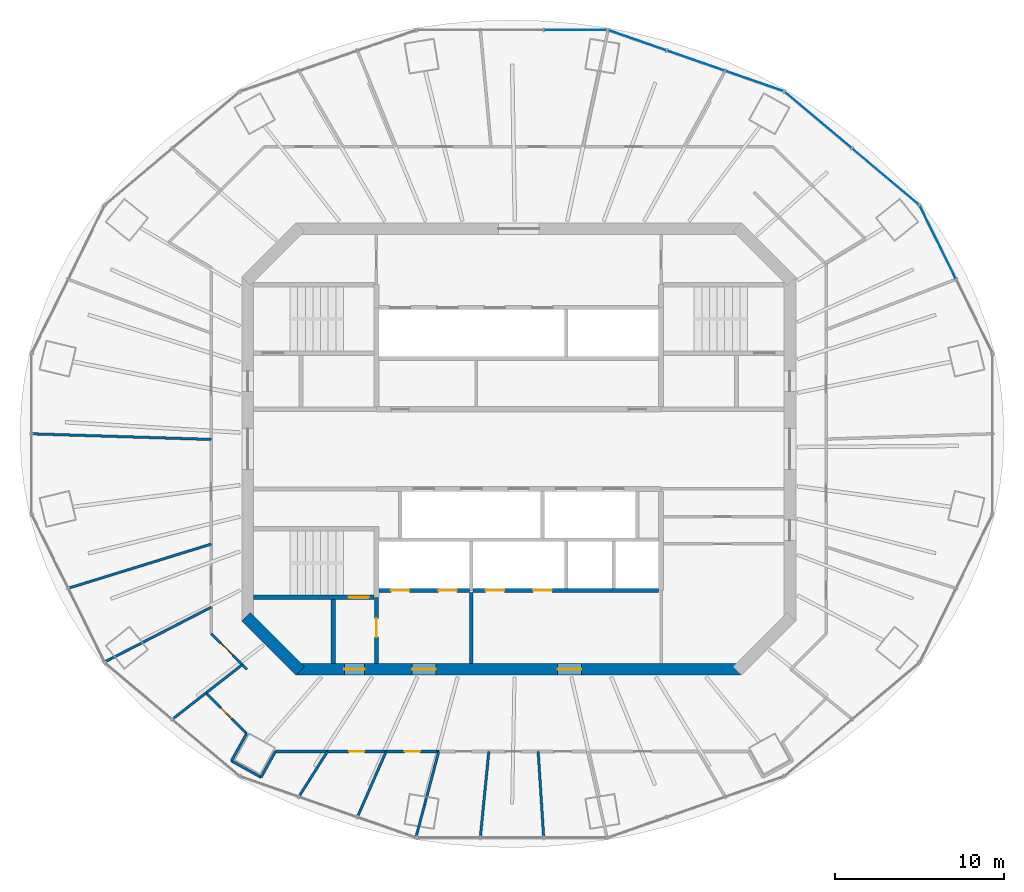
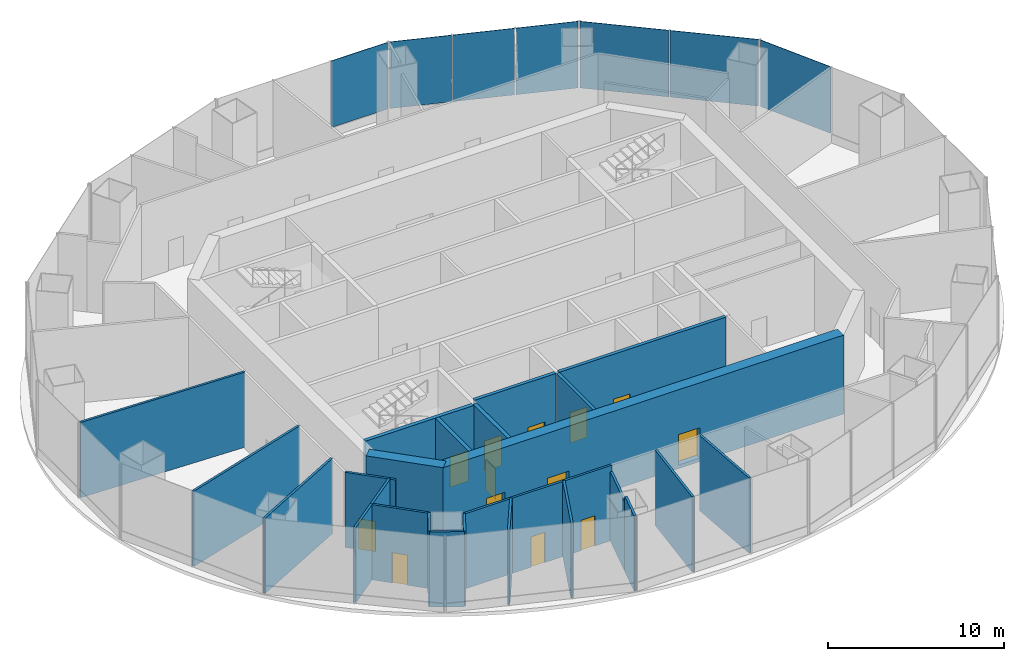
# One storey, part 8 of 12: 25 walls, 13 doors, 7 plates, 13 openings, 4 elements without a shape of their own.
"""IFC4 building model written with IfcOpenShell, lengths in metres."""

from ifc_helpers import new_model, si_unit, direction, frame, frame_2d, origin, origin_2d, place, context, subcontext, project, spatial, rectangle, extrude, material, layer, layer_set, type_object, element, fill, aggregate, save


model = new_model("IFC4")

# Units and contexts
model_context = context("Model", 3, precision=1e-05, world=origin(), true_north=direction((0.0, 1.0)))
body_context = subcontext(model_context, "Body", "Model", "MODEL_VIEW")
ifc_project = project(units=[si_unit("LENGTHUNIT", "METRE"), si_unit("AREAUNIT", "SQUARE_METRE"), si_unit("VOLUMEUNIT", "CUBIC_METRE"), si_unit("PLANEANGLEUNIT", "RADIAN"), si_unit("MASSUNIT", "GRAM", prefix="KILO")], contexts=[model_context])

# Site, building, storey
site_placement = place(None, origin())
site = spatial("IfcSite", under=ifc_project, at=site_placement, CompositionType="ELEMENT")
building_placement = place(site_placement, origin())
building = spatial("IfcBuilding", under=site, at=building_placement, Name="Marenthal Gate Tower", CompositionType="ELEMENT")
storey_placement = place(building_placement, frame((0.0, 0.0, 279.10009765625)))
storey = spatial("IfcBuildingStorey", under=building, at=storey_placement, Name="L62", CompositionType="ELEMENT", Elevation=279.10009765625)

# Curtain wall, plate
ifc_material_1 = material(Name="Aluminium and glass", Category="aluminium")
curtain_wall_type = type_object("IfcCurtainWallType", Name="Curtain wall sky lobby", PredefinedType="NOTDEFINED", material=ifc_material_1)
curtain_wall_1_placement = place(storey_placement, origin())
curtain_wall_1 = element("IfcCurtainWall", 1, at=curtain_wall_1_placement, inside=storey, type_object=curtain_wall_type, Name="Curtain wall L62 bay 1", PredefinedType="NOTDEFINED")
ifc_material_2 = material(Name="Glass, laminated insulating unit", Category="glass")
ifc_layer_1 = layer(ifc_material_2, 0.033935546875)
ifc_layer_set_1 = layer_set([ifc_layer_1], Name="Glass panel 34 sky lobby")
plate_type = type_object("IfcPlateType", Name="Glass panel 34 sky lobby", PredefinedType="CURTAIN_PANEL", material=ifc_layer_set_1)
plate_1_placement = place(storey_placement, frame((24.73046875, 12.198486328125, 0.599853515625), z_axis=(0.0, 0.0, 1.0), x_axis=(-0.442091093871, 0.89697015821, 0.0)))
plate_1 = element("IfcPlate", 2, at=plate_1_placement, type_object=plate_type, Name="Glass panel L62 bay 1.2", PredefinedType="CURTAIN_PANEL", context=body_context, shape_type="SweptSolid", body=[
    extrude(rectangle(XDim=4.783447265625, YDim=0.033935546875, at=origin_2d()), origin(), (0.0, 0.0, 1.0), 4.6201171875),
])
aggregate(curtain_wall_1, [plate_1])

# Curtain wall, plates
curtain_wall_2_placement = place(storey_placement, origin())
curtain_wall_2 = element("IfcCurtainWall", 3, at=curtain_wall_2_placement, inside=storey, type_object=curtain_wall_type, Name="Curtain wall L62 bay 2", PredefinedType="NOTDEFINED")
plate_2_placement = place(storey_placement, frame((21.638427734375, 16.087890625, 0.599853515625), z_axis=(0.0, 0.0, 1.0), x_axis=(-0.76554681722, 0.643380191367, 0.0)))
plate_2 = element("IfcPlate", 4, at=plate_2_placement, type_object=plate_type, Name="Glass panel L62 bay 2.1", PredefinedType="CURTAIN_PANEL", context=body_context, shape_type="SweptSolid", body=[
    extrude(rectangle(XDim=5.11083984375, YDim=0.033935546875, at=origin_2d()), origin(), (0.0, 0.0, 1.0), 4.6201171875),
])
plate_3_placement = place(storey_placement, frame((17.672119140625, 19.421142578125, 0.599853515625), z_axis=(0.0, 0.0, 1.0), x_axis=(-0.76554681722, 0.643380191367, 0.0)))
plate_3 = element("IfcPlate", 5, at=plate_3_placement, type_object=plate_type, Name="Glass panel L62 bay 2.2", PredefinedType="CURTAIN_PANEL", context=body_context, shape_type="SweptSolid", body=[
    extrude(rectangle(XDim=5.11083984375, YDim=0.033935546875, at=origin_2d()), origin(), (0.0, 0.0, 1.0), 4.6201171875),
])
aggregate(curtain_wall_2, [plate_2, plate_3])

curtain_wall_3_placement = place(storey_placement, origin())
curtain_wall_3 = element("IfcCurtainWall", 6, at=curtain_wall_3_placement, inside=storey, type_object=curtain_wall_type, Name="Curtain wall L62 bay 3", PredefinedType="NOTDEFINED")
plate_4_placement = place(storey_placement, frame((13.90966796875, 21.718505859375, 0.599853515625), z_axis=(0.0, 0.0, 1.0), x_axis=(-0.944414634469, 0.328756746245, 0.0)))
plate_4 = element("IfcPlate", 7, at=plate_4_placement, type_object=plate_type, Name="Glass panel L62 bay 3.1", PredefinedType="CURTAIN_PANEL", context=body_context, shape_type="SweptSolid", body=[
    extrude(rectangle(XDim=3.58935546875, YDim=0.033935546875, at=origin_2d()), origin(), (0.0, 0.0, 1.0), 4.6201171875),
])
plate_5_placement = place(storey_placement, frame((10.453857421875, 22.921630859375, 0.599853515625), z_axis=(0.0, 0.0, 1.0), x_axis=(-0.944414634469, 0.328756746245, 0.0)))
plate_5 = element("IfcPlate", 8, at=plate_5_placement, type_object=plate_type, Name="Glass panel L62 bay 3.2", PredefinedType="CURTAIN_PANEL", context=body_context, shape_type="SweptSolid", body=[
    extrude(rectangle(XDim=3.58935546875, YDim=0.033935546875, at=origin_2d()), origin(), (0.0, 0.0, 1.0), 4.6201171875),
])
plate_6_placement = place(storey_placement, frame((6.998046875, 24.12451171875, 0.599853515625), z_axis=(0.0, 0.0, 1.0), x_axis=(-0.944414634469, 0.328756746245, 0.0)))
plate_6 = element("IfcPlate", 9, at=plate_6_placement, type_object=plate_type, Name="Glass panel L62 bay 3.3", PredefinedType="CURTAIN_PANEL", context=body_context, shape_type="SweptSolid", body=[
    extrude(rectangle(XDim=3.58935546875, YDim=0.033935546875, at=origin_2d()), origin(), (0.0, 0.0, 1.0), 4.6201171875),
])
aggregate(curtain_wall_3, [plate_4, plate_5, plate_6])

# Curtain wall, plate
curtain_wall_4_placement = place(storey_placement, origin())
curtain_wall_4 = element("IfcCurtainWall", 10, at=curtain_wall_4_placement, inside=storey, type_object=curtain_wall_type, Name="Curtain wall L62 bay 4", PredefinedType="NOTDEFINED")
plate_7_placement = place(storey_placement, frame((3.341064453125, 24.736083984375, 0.599853515625), z_axis=(0.0, 0.0, 1.0), x_axis=(-1.0, 0.0, 0.0)))
plate_7 = element("IfcPlate", 11, at=plate_7_placement, type_object=plate_type, Name="Glass panel L62 bay 4.1", PredefinedType="CURTAIN_PANEL", context=body_context, shape_type="SweptSolid", body=[
    extrude(rectangle(XDim=3.671142578125, YDim=0.033935546875, at=origin_2d()), origin(), (0.0, 0.0, 1.0), 4.6201171875),
])
aggregate(curtain_wall_4, [plate_7])

# Wall
ifc_material_3 = material(Name="Concrete 60 MPa", Category="concrete")
ifc_layer_2 = layer(ifc_material_3, 0.699951171875)
ifc_layer_set_2 = layer_set([ifc_layer_2], Name="Core shear wall 700")
wall_type_1 = type_object("IfcWallType", Name="Core shear wall 700", PredefinedType="SHEAR", material=ifc_layer_set_2)
wall_1_placement = place(storey_placement, frame((-16.1025390625, -9.8974609375, -0.25), z_axis=(0.0, 0.0, 1.0), x_axis=(0.707106781187, -0.707106781187, 0.0)))
element("IfcWall", 12, at=wall_1_placement, inside=storey, type_object=wall_type_1, Name="Core wall 07", PredefinedType="SHEAR", context=body_context, shape_type="SweptSolid", body=[
    extrude(rectangle(XDim=4.53271484375, YDim=0.699951171875, at=frame_2d((2.266357421875, 0.0))), origin(), (0.0, 0.0, 1.0), 5.469970703125),
])

# Wall, openings, doors
wall_2_placement = place(storey_placement, frame((-13.14501953125, -13.0, -0.25), z_axis=(0.0, 0.0, 1.0), x_axis=(1.0, 0.0, 0.0)))
wall_2 = element("IfcWall", 13, at=wall_2_placement, inside=storey, type_object=wall_type_1, Name="Core wall 08", PredefinedType="SHEAR", context=body_context, shape_type="SweptSolid", body=[
    extrude(rectangle(XDim=26.2900390625, YDim=0.699951171875, at=frame_2d((13.14501953125, 0.0))), origin(), (0.0, 0.0, 1.0), 5.469970703125),
])
opening_1_placement = place(wall_2_placement, frame((2.844970703125, 0.0, 0.25)))
opening_1 = element("IfcOpeningElement", 14, at=opening_1_placement, cuts=wall_2, Name="Opening D001.06", PredefinedType="OPENING", context=body_context, shape_type="SweptSolid", body=[
    extrude(rectangle(XDim=1.199951171875, YDim=2.10009765625, at=frame_2d((0.60009765625, 1.050048828125))), frame((0.0, 0.35986328125, 0.0), z_axis=(0.0, -1.0, 0.0), x_axis=(1.0, 0.0, 0.0)), (0.0, 0.0, 1.0), 0.719970703125),
])
opening_2_placement = place(wall_2_placement, frame((6.844970703125, 0.0, 0.25)))
opening_2 = element("IfcOpeningElement", 15, at=opening_2_placement, cuts=wall_2, Name="Opening D004.01", PredefinedType="OPENING", context=body_context, shape_type="SweptSolid", body=[
    extrude(rectangle(XDim=1.39990234375, YDim=2.10009765625, at=frame_2d((0.699951171875, 1.050048828125))), frame((0.0, 0.35986328125, 0.0), z_axis=(0.0, -1.0, 0.0), x_axis=(1.0, 0.0, 0.0)), (0.0, 0.0, 1.0), 0.719970703125),
])
opening_3_placement = place(wall_2_placement, frame((15.445068359375, 0.0, 0.25)))
opening_3 = element("IfcOpeningElement", 16, at=opening_3_placement, cuts=wall_2, Name="Opening D004.02", PredefinedType="OPENING", context=body_context, shape_type="SweptSolid", body=[
    extrude(rectangle(XDim=1.39990234375, YDim=2.10009765625, at=frame_2d((0.699951171875, 1.050048828125))), frame((0.0, 0.35986328125, 0.0), z_axis=(0.0, -1.0, 0.0), x_axis=(1.0, 0.0, 0.0)), (0.0, 0.0, 1.0), 0.719970703125),
])
ifc_material_4 = material(Name="Steel fire door", Category="steel")
door_type_1 = type_object("IfcDoorType", Name="Fire door FD 45 1400 x 2100", OperationType="NOTDEFINED", PredefinedType="DOOR", material=ifc_material_4)
door_1_placement = place(opening_2_placement, origin())
door_1 = element("IfcDoor", 17, at=door_1_placement, inside=storey, type_object=door_type_1, Name="Door D004.01", OperationType="SINGLE_SWING_RIGHT", OverallHeight=2.10009765625, OverallWidth=1.39990234375, PredefinedType="DOOR", context=body_context, shape_type="SweptSolid", body=[
    extrude(rectangle(XDim=1.39990234375, YDim=2.10009765625, at=frame_2d((0.699951171875, 1.050048828125))), frame((0.0, 0.02490234375, 0.0), z_axis=(0.0, -1.0, 0.0), x_axis=(1.0, 0.0, 0.0)), (0.0, 0.0, 1.0), 0.050048828125),
])
fill(opening_2, door_1)
door_2_placement = place(opening_3_placement, origin())
door_2 = element("IfcDoor", 18, at=door_2_placement, inside=storey, type_object=door_type_1, Name="Door D004.02", OperationType="SINGLE_SWING_RIGHT", OverallHeight=2.10009765625, OverallWidth=1.39990234375, PredefinedType="DOOR", context=body_context, shape_type="SweptSolid", body=[
    extrude(rectangle(XDim=1.39990234375, YDim=2.10009765625, at=frame_2d((0.699951171875, 1.050048828125))), frame((0.0, 0.02490234375, 0.0), z_axis=(0.0, -1.0, 0.0), x_axis=(1.0, 0.0, 0.0)), (0.0, 0.0, 1.0), 0.050048828125),
])
fill(opening_3, door_2)
ifc_material_5 = material(Name="Steel fire door", Category="steel")
door_type_2 = type_object("IfcDoorType", Name="Fire door FD 90 1200 x 2100", OperationType="NOTDEFINED", PredefinedType="DOOR", material=ifc_material_5)
door_3_placement = place(opening_1_placement, origin())
door_3 = element("IfcDoor", 19, at=door_3_placement, inside=storey, type_object=door_type_2, Name="Door D001.06", OperationType="SINGLE_SWING_RIGHT", OverallHeight=2.10009765625, OverallWidth=1.199951171875, PredefinedType="DOOR", context=body_context, shape_type="SweptSolid", body=[
    extrude(rectangle(XDim=1.199951171875, YDim=2.10009765625, at=frame_2d((0.60009765625, 1.050048828125))), frame((0.0, 0.02490234375, 0.0), z_axis=(0.0, -1.0, 0.0), x_axis=(1.0, 0.0, 0.0)), (0.0, 0.0, 1.0), 0.050048828125),
])
fill(opening_1, door_3)

# Wall
ifc_material_6 = material(Name="Gypsum board on steel studs", Category="steel")
ifc_layer_3 = layer(ifc_material_6, 0.199951171875)
ifc_layer_set_3 = layer_set([ifc_layer_3], Name="Fire lobby wall 200")
wall_type_2 = type_object("IfcWallType", Name="Fire lobby wall 200", PredefinedType="PARTITIONING", material=ifc_layer_set_3)
wall_3_placement = place(storey_placement, frame((-2.800048828125, -12.64990234375, 0.0), z_axis=(0.0, 0.0, 1.0), x_axis=(0.0, 1.0, 0.0)))
element("IfcWall", 20, at=wall_3_placement, inside=storey, type_object=wall_type_2, Name="Fire wall 36", PredefinedType="PARTITIONING", context=body_context, shape_type="SweptSolid", body=[
    extrude(rectangle(XDim=4.18994140625, YDim=0.199951171875, at=frame_2d((2.094970703125, 0.0))), origin(), (0.0, 0.0, 1.0), 5.219970703125),
])

# Wall, openings, doors
ifc_material_7 = material(Name="Concrete 40 MPa", Category="concrete")
ifc_layer_4 = layer(ifc_material_7, 0.219970703125)
ifc_layer_set_4 = layer_set([ifc_layer_4], Name="Hoistway wall 220")
wall_type_3 = type_object("IfcWallType", Name="Hoistway wall 220", PredefinedType="STANDARD", material=ifc_layer_set_4)
wall_4_placement = place(storey_placement, frame((-8.25, -8.35009765625, 0.0), z_axis=(0.0, 0.0, 1.0), x_axis=(1.0, 0.0, 0.0)))
wall_4 = element("IfcWall", 21, at=wall_4_placement, inside=storey, type_object=wall_type_3, Name="Hoistway wall 10", PredefinedType="STANDARD", context=body_context, shape_type="SweptSolid", body=[
    extrude(rectangle(XDim=5.340087890625, YDim=0.219970703125, at=frame_2d((2.669921875, 0.0))), origin(), (0.0, 0.0, 1.0), 5.219970703125),
])
opening_4_placement = place(wall_4_placement, frame((0.699951171875, 0.0, 0.0)))
opening_4 = element("IfcOpeningElement", 22, at=opening_4_placement, cuts=wall_4, Name="Opening LD-LF1", PredefinedType="OPENING", context=body_context, shape_type="SweptSolid", body=[
    extrude(rectangle(XDim=1.10009765625, YDim=2.10009765625, at=frame_2d((0.550048828125, 1.050048828125))), frame((0.0, 0.1201171875, 0.0), z_axis=(0.0, -1.0, 0.0), x_axis=(1.0, 0.0, 0.0)), (0.0, 0.0, 1.0), 0.239990234375),
])
opening_5_placement = place(wall_4_placement, frame((3.5, 0.0, 0.0)))
opening_5 = element("IfcOpeningElement", 23, at=opening_5_placement, cuts=wall_4, Name="Opening LD-LF2", PredefinedType="OPENING", context=body_context, shape_type="SweptSolid", body=[
    extrude(rectangle(XDim=1.10009765625, YDim=2.10009765625, at=frame_2d((0.550048828125, 1.050048828125))), frame((0.0, 0.1201171875, 0.0), z_axis=(0.0, -1.0, 0.0), x_axis=(1.0, 0.0, 0.0)), (0.0, 0.0, 1.0), 0.239990234375),
])
ifc_material_8 = material(Name="Stainless steel sliding door", Category="steel")
door_type_3 = type_object("IfcDoorType", Name="Lift landing door FD 90 1100 x 2100", OperationType="DOUBLE_DOOR_SLIDING", PredefinedType="DOOR", material=ifc_material_8)
door_4_placement = place(opening_4_placement, origin())
door_4 = element("IfcDoor", 24, at=door_4_placement, inside=storey, type_object=door_type_3, Name="Lift landing door LF1", OperationType="DOUBLE_DOOR_SLIDING", OverallHeight=2.10009765625, OverallWidth=1.10009765625, PredefinedType="DOOR", context=body_context, shape_type="SweptSolid", body=[
    extrude(rectangle(XDim=1.10009765625, YDim=2.10009765625, at=frame_2d((0.550048828125, 1.050048828125))), frame((0.0, 0.02490234375, 0.0), z_axis=(0.0, -1.0, 0.0), x_axis=(1.0, 0.0, 0.0)), (0.0, 0.0, 1.0), 0.050048828125),
])
fill(opening_4, door_4)
door_5_placement = place(opening_5_placement, origin())
door_5 = element("IfcDoor", 25, at=door_5_placement, inside=storey, type_object=door_type_3, Name="Lift landing door LF2", OperationType="DOUBLE_DOOR_SLIDING", OverallHeight=2.10009765625, OverallWidth=1.10009765625, PredefinedType="DOOR", context=body_context, shape_type="SweptSolid", body=[
    extrude(rectangle(XDim=1.10009765625, YDim=2.10009765625, at=frame_2d((0.550048828125, 1.050048828125))), frame((0.0, 0.02490234375, 0.0), z_axis=(0.0, -1.0, 0.0), x_axis=(1.0, 0.0, 0.0)), (0.0, 0.0, 1.0), 0.050048828125),
])
fill(opening_5, door_5)

wall_5_placement = place(storey_placement, frame((-2.68994140625, -8.35009765625, 0.0), z_axis=(0.0, 0.0, 1.0), x_axis=(1.0, 0.0, 0.0)))
wall_5 = element("IfcWall", 26, at=wall_5_placement, inside=storey, type_object=wall_type_3, Name="Hoistway wall 11", PredefinedType="STANDARD", context=body_context, shape_type="SweptSolid", body=[
    extrude(rectangle(XDim=10.93994140625, YDim=0.219970703125, at=frame_2d((5.469970703125, 0.0))), origin(), (0.0, 0.0, 1.0), 5.219970703125),
])
opening_6_placement = place(wall_5_placement, frame((0.739990234375, 0.0, 0.0)))
opening_6 = element("IfcOpeningElement", 27, at=opening_6_placement, cuts=wall_5, Name="Opening LD-SV1", PredefinedType="OPENING", context=body_context, shape_type="SweptSolid", body=[
    extrude(rectangle(XDim=1.10009765625, YDim=2.10009765625, at=frame_2d((0.550048828125, 1.050048828125))), frame((0.0, 0.1201171875, 0.0), z_axis=(0.0, -1.0, 0.0), x_axis=(1.0, 0.0, 0.0)), (0.0, 0.0, 1.0), 0.239990234375),
])
opening_7_placement = place(wall_5_placement, frame((3.5400390625, 0.0, 0.0)))
opening_7 = element("IfcOpeningElement", 28, at=opening_7_placement, cuts=wall_5, Name="Opening LD-SV2", PredefinedType="OPENING", context=body_context, shape_type="SweptSolid", body=[
    extrude(rectangle(XDim=1.10009765625, YDim=2.10009765625, at=frame_2d((0.550048828125, 1.050048828125))), frame((0.0, 0.1201171875, 0.0), z_axis=(0.0, -1.0, 0.0), x_axis=(1.0, 0.0, 0.0)), (0.0, 0.0, 1.0), 0.239990234375),
])
door_6_placement = place(opening_6_placement, origin())
door_6 = element("IfcDoor", 29, at=door_6_placement, inside=storey, type_object=door_type_3, Name="Lift landing door SV1", OperationType="DOUBLE_DOOR_SLIDING", OverallHeight=2.10009765625, OverallWidth=1.10009765625, PredefinedType="DOOR", context=body_context, shape_type="SweptSolid", body=[
    extrude(rectangle(XDim=1.10009765625, YDim=2.10009765625, at=frame_2d((0.550048828125, 1.050048828125))), frame((0.0, 0.02490234375, 0.0), z_axis=(0.0, -1.0, 0.0), x_axis=(1.0, 0.0, 0.0)), (0.0, 0.0, 1.0), 0.050048828125),
])
fill(opening_6, door_6)
door_7_placement = place(opening_7_placement, origin())
door_7 = element("IfcDoor", 30, at=door_7_placement, inside=storey, type_object=door_type_3, Name="Lift landing door SV2", OperationType="DOUBLE_DOOR_SLIDING", OverallHeight=2.10009765625, OverallWidth=1.10009765625, PredefinedType="DOOR", context=body_context, shape_type="SweptSolid", body=[
    extrude(rectangle(XDim=1.10009765625, YDim=2.10009765625, at=frame_2d((0.550048828125, 1.050048828125))), frame((0.0, 0.02490234375, 0.0), z_axis=(0.0, -1.0, 0.0), x_axis=(1.0, 0.0, 0.0)), (0.0, 0.0, 1.0), 0.050048828125),
])
fill(opening_7, door_7)

# Walls
ifc_material_9 = material(Name="Gypsum board on steel studs", Category="steel")
ifc_layer_5 = layer(ifc_material_9, 0.14990234375)
ifc_layer_set_5 = layer_set([ifc_layer_5], Name="Partition 150")
wall_type_4 = type_object("IfcWallType", Name="Partition 150", PredefinedType="PARTITIONING", material=ifc_layer_set_5)
wall_6_placement = place(storey_placement, frame((-26.583984375, -8.2158203125, 0.0), z_axis=(0.0, 0.0, 1.0), x_axis=(0.955409308592, 0.29528469831, 0.0)))
element("IfcWall", 31, at=wall_6_placement, inside=storey, type_object=wall_type_4, Name="Partition wall 53", PredefinedType="PARTITIONING", context=body_context, shape_type="SweptSolid", body=[
    extrude(rectangle(XDim=8.82763671875, YDim=0.14990234375, at=frame_2d((4.413818359375, 0.0))), origin(), (0.0, 0.0, 1.0), 5.219970703125),
])
wall_7_placement = place(storey_placement, frame((-24.43994140625, -12.56591796875, 0.0), z_axis=(0.0, 0.0, 1.0), x_axis=(0.889344754937, 0.45723725446, 0.0)))
element("IfcWall", 32, at=wall_7_placement, inside=storey, type_object=wall_type_4, Name="Partition wall 55", PredefinedType="PARTITIONING", context=body_context, shape_type="SweptSolid", body=[
    extrude(rectangle(XDim=7.07275390625, YDim=0.14990234375, at=frame_2d((3.536376953125, 0.0))), origin(), (0.0, 0.0, 1.0), 5.219970703125),
])
wall_8_placement = place(storey_placement, frame((-18.460205078125, -14.398681640625, 0.0), z_axis=(0.0, 0.0, 1.0), x_axis=(0.788462265821, 0.615083128834, 0.0)))
element("IfcWall", 33, at=wall_8_placement, inside=storey, type_object=wall_type_4, Name="Partition wall 58", PredefinedType="PARTITIONING", context=body_context, shape_type="SweptSolid", body=[
    extrude(rectangle(XDim=2.720458984375, YDim=0.14990234375, at=frame_2d((1.3603515625, 0.0))), origin(), (0.0, 0.0, 1.0), 5.219970703125),
])
wall_9_placement = place(storey_placement, frame((-2.2685546875, -22.916015625, 0.0), z_axis=(0.0, 0.0, 1.0), x_axis=(0.0985065146, 0.995136406017, 0.0)))
element("IfcWall", 34, at=wall_9_placement, inside=storey, type_object=wall_type_4, Name="Partition wall 64", PredefinedType="PARTITIONING", context=body_context, shape_type="SweptSolid", body=[
    extrude(rectangle(XDim=5.090576171875, YDim=0.14990234375, at=frame_2d((2.54541015625, 0.0))), origin(), (0.0, 0.0, 1.0), 5.219970703125),
])
wall_10_placement = place(storey_placement, frame((1.46923828125, -22.916015625, 0.0), z_axis=(0.0, 0.0, 1.0), x_axis=(-0.064013021846, 0.997949063346, 0.0)))
element("IfcWall", 35, at=wall_10_placement, inside=storey, type_object=wall_type_4, Name="Partition wall 67", PredefinedType="PARTITIONING", context=body_context, shape_type="SweptSolid", body=[
    extrude(rectangle(XDim=5.076416015625, YDim=0.14990234375, at=frame_2d((2.5380859375, 0.0))), origin(), (0.0, 0.0, 1.0), 5.219970703125),
])

# Wall, opening, door
wall_11_placement = place(storey_placement, frame((-16.04638671875, -12.994140625, 0.0), z_axis=(0.0, 0.0, 1.0), x_axis=(-0.707106781187, 0.707106781187, 0.0)))
wall_11 = element("IfcWall", 36, at=wall_11_placement, inside=storey, type_object=wall_type_4, Name="Partition wall 77", PredefinedType="PARTITIONING", context=body_context, shape_type="SweptSolid", body=[
    extrude(rectangle(XDim=2.974853515625, YDim=0.14990234375, at=frame_2d((1.4873046875, 0.0))), origin(), (0.0, 0.0, 1.0), 5.219970703125),
])
opening_8_placement = place(wall_11_placement, frame((1.177490234375, 0.0, 0.0)))
opening_8 = element("IfcOpeningElement", 37, at=opening_8_placement, cuts=wall_11, Name="Opening D012.11", PredefinedType="OPENING", context=body_context, shape_type="SweptSolid", body=[
    extrude(rectangle(XDim=1.0, YDim=2.10009765625, at=frame_2d((0.5, 1.050048828125))), frame((0.0, 0.0849609375, 0.0), z_axis=(0.0, -1.0, 0.0), x_axis=(1.0, 0.0, 0.0)), (0.0, 0.0, 1.0), 0.169921875),
])
ifc_material_10 = material(Name="Timber door", Category="wood")
door_type_4 = type_object("IfcDoorType", Name="Door 1000 x 2100", OperationType="NOTDEFINED", PredefinedType="DOOR", material=ifc_material_10)
door_8_placement = place(opening_8_placement, origin())
door_8 = element("IfcDoor", 38, at=door_8_placement, inside=storey, type_object=door_type_4, Name="Door D012.11", OperationType="SINGLE_SWING_RIGHT", OverallHeight=2.10009765625, OverallWidth=1.0, PredefinedType="DOOR", context=body_context, shape_type="SweptSolid", body=[
    extrude(rectangle(XDim=1.0, YDim=2.10009765625, at=frame_2d((0.5, 1.050048828125))), frame((0.0, 0.02490234375, 0.0), z_axis=(0.0, -1.0, 0.0), x_axis=(1.0, 0.0, 0.0)), (0.0, 0.0, 1.0), 0.050048828125),
])
fill(opening_8, door_8)

# Walls
wall_12_placement = place(storey_placement, frame((-18.14990234375, 0.56787109375, 0.0), z_axis=(0.0, 0.0, 1.0), x_axis=(-0.999510501518, 0.031285097982, 0.0)))
element("IfcWall", 39, at=wall_12_placement, inside=storey, type_object=wall_type_4, Name="Partition wall 83", PredefinedType="PARTITIONING", context=body_context, shape_type="SweptSolid", body=[
    extrude(rectangle(XDim=10.597412109375, YDim=0.14990234375, at=frame_2d((5.298828125, 0.0))), origin(), (0.0, 0.0, 1.0), 5.219970703125),
])
ifc_material_11 = material(Name="Concrete 40 MPa", Category="concrete")
ifc_layer_6 = layer(ifc_material_11, 0.25)
ifc_layer_set_6 = layer_set([ifc_layer_6], Name="Stair enclosure wall 250")
wall_type_5 = type_object("IfcWallType", Name="Stair enclosure wall 250", PredefinedType="STANDARD", material=ifc_layer_set_6)
wall_13_placement = place(storey_placement, frame((-10.949951171875, -12.64990234375, 0.0), z_axis=(0.0, 0.0, 1.0), x_axis=(0.0, 1.0, 0.0)))
element("IfcWall", 40, at=wall_13_placement, inside=storey, type_object=wall_type_5, Name="Stair wall 29", PredefinedType="STANDARD", context=body_context, shape_type="SweptSolid", body=[
    extrude(rectangle(XDim=3.77490234375, YDim=0.25, at=frame_2d((1.887451171875, 0.0))), origin(), (0.0, 0.0, 1.0), 5.219970703125),
])

# Wall, opening, door
wall_14_placement = place(storey_placement, frame((-8.39990234375, -12.64990234375, 0.0), z_axis=(0.0, 0.0, 1.0), x_axis=(0.0, 1.0, 0.0)))
wall_14 = element("IfcWall", 41, at=wall_14_placement, inside=storey, type_object=wall_type_5, Name="Stair wall 30", PredefinedType="STANDARD", context=body_context, shape_type="SweptSolid", body=[
    extrude(rectangle(XDim=3.89990234375, YDim=0.25, at=frame_2d((1.949951171875, 0.0))), origin(), (0.0, 0.0, 1.0), 5.219970703125),
])
opening_9_placement = place(wall_14_placement, frame((1.550048828125, 0.0, 0.0)))
opening_9 = element("IfcOpeningElement", 42, at=opening_9_placement, cuts=wall_14, Name="Opening D002.01", PredefinedType="OPENING", context=body_context, shape_type="SweptSolid", body=[
    extrude(rectangle(XDim=1.10009765625, YDim=2.10009765625, at=frame_2d((0.550048828125, 1.050048828125))), frame((0.0, 0.135009765625, 0.0), z_axis=(0.0, -1.0, 0.0), x_axis=(1.0, 0.0, 0.0)), (0.0, 0.0, 1.0), 0.27001953125),
])
ifc_material_12 = material(Name="Steel fire door", Category="steel")
door_type_5 = type_object("IfcDoorType", Name="Fire door FD 90 1100 x 2100", OperationType="NOTDEFINED", PredefinedType="DOOR", material=ifc_material_12)
door_9_placement = place(opening_9_placement, origin())
door_9 = element("IfcDoor", 43, at=door_9_placement, inside=storey, type_object=door_type_5, Name="Door D002.01", OperationType="SINGLE_SWING_RIGHT", OverallHeight=2.10009765625, OverallWidth=1.10009765625, PredefinedType="DOOR", context=body_context, shape_type="SweptSolid", body=[
    extrude(rectangle(XDim=1.10009765625, YDim=2.10009765625, at=frame_2d((0.550048828125, 1.050048828125))), frame((0.0, 0.02490234375, 0.0), z_axis=(0.0, -1.0, 0.0), x_axis=(1.0, 0.0, 0.0)), (0.0, 0.0, 1.0), 0.050048828125),
])
fill(opening_9, door_9)

ifc_material_13 = material(Name="Concrete 50 MPa", Category="concrete")
ifc_layer_7 = layer(ifc_material_13, 0.25)
ifc_layer_set_7 = layer_set([ifc_layer_7], Name="Stair shear wall 250")
wall_type_6 = type_object("IfcWallType", Name="Stair shear wall 250", PredefinedType="SHEAR", material=ifc_layer_set_7)
wall_15_placement = place(storey_placement, frame((-15.64990234375, -8.75, -0.25), z_axis=(0.0, 0.0, 1.0), x_axis=(1.0, 0.0, 0.0)))
wall_15 = element("IfcWall", 44, at=wall_15_placement, inside=storey, type_object=wall_type_6, Name="Stair wall 09", PredefinedType="SHEAR", context=body_context, shape_type="SweptSolid", body=[
    extrude(rectangle(XDim=7.099853515625, YDim=0.25, at=frame_2d((3.5498046875, 0.0))), origin(), (0.0, 0.0, 1.0), 5.469970703125),
])
opening_10_placement = place(wall_15_placement, frame((5.60009765625, 0.0, 0.25)))
opening_10 = element("IfcOpeningElement", 45, at=opening_10_placement, cuts=wall_15, Name="Opening D001.03", PredefinedType="OPENING", context=body_context, shape_type="SweptSolid", body=[
    extrude(rectangle(XDim=1.199951171875, YDim=2.10009765625, at=frame_2d((0.60009765625, 1.050048828125))), frame((0.0, 0.135009765625, 0.0), z_axis=(0.0, -1.0, 0.0), x_axis=(1.0, 0.0, 0.0)), (0.0, 0.0, 1.0), 0.27001953125),
])
door_10_placement = place(opening_10_placement, origin())
door_10 = element("IfcDoor", 46, at=door_10_placement, inside=storey, type_object=door_type_2, Name="Door D001.03", OperationType="SINGLE_SWING_RIGHT", OverallHeight=2.10009765625, OverallWidth=1.199951171875, PredefinedType="DOOR", context=body_context, shape_type="SweptSolid", body=[
    extrude(rectangle(XDim=1.199951171875, YDim=2.10009765625, at=frame_2d((0.60009765625, 1.050048828125))), frame((0.0, 0.02490234375, 0.0), z_axis=(0.0, -1.0, 0.0), x_axis=(1.0, 0.0, 0.0)), (0.0, 0.0, 1.0), 0.050048828125),
])
fill(opening_10, door_10)

# Wall, openings, doors
ifc_material_14 = material(Name="Gypsum board on steel studs", Category="steel")
ifc_layer_8 = layer(ifc_material_14, 0.14990234375)
ifc_layer_set_8 = layer_set([ifc_layer_8], Name="Wet room partition 150")
wall_type_7 = type_object("IfcWallType", Name="Wet room partition 150", PredefinedType="PARTITIONING", material=ifc_layer_set_8)
wall_16_placement = place(storey_placement, frame((-14.364501953125, -17.85009765625, 0.0), z_axis=(0.0, 0.0, 1.0), x_axis=(1.0, 0.0, 0.0)))
wall_16 = element("IfcWall", 47, at=wall_16_placement, inside=storey, type_object=wall_type_7, Name="Wet wall 84", PredefinedType="PARTITIONING", context=body_context, shape_type="SweptSolid", body=[
    extrude(rectangle(XDim=9.6435546875, YDim=0.14990234375, at=frame_2d((4.82177734375, 0.0))), origin(), (0.0, 0.0, 1.0), 5.219970703125),
])
opening_11_placement = place(wall_16_placement, frame((4.3544921875, 0.0, 0.0)))
opening_11 = element("IfcOpeningElement", 48, at=opening_11_placement, cuts=wall_16, Name="Opening D011.02", PredefinedType="OPENING", context=body_context, shape_type="SweptSolid", body=[
    extrude(rectangle(XDim=0.89990234375, YDim=2.10009765625, at=frame_2d((0.449951171875, 1.050048828125))), frame((0.0, 0.0849609375, 0.0), z_axis=(0.0, -1.0, 0.0), x_axis=(1.0, 0.0, 0.0)), (0.0, 0.0, 1.0), 0.169921875),
])
opening_12_placement = place(wall_16_placement, frame((7.637939453125, 0.0, 0.0)))
opening_12 = element("IfcOpeningElement", 49, at=opening_12_placement, cuts=wall_16, Name="Opening D011.03", PredefinedType="OPENING", context=body_context, shape_type="SweptSolid", body=[
    extrude(rectangle(XDim=0.89990234375, YDim=2.10009765625, at=frame_2d((0.449951171875, 1.050048828125))), frame((0.0, 0.0849609375, 0.0), z_axis=(0.0, -1.0, 0.0), x_axis=(1.0, 0.0, 0.0)), (0.0, 0.0, 1.0), 0.169921875),
])
ifc_material_15 = material(Name="Timber door", Category="wood")
door_type_6 = type_object("IfcDoorType", Name="Door 900 x 2100", OperationType="NOTDEFINED", PredefinedType="DOOR", material=ifc_material_15)
door_11_placement = place(opening_11_placement, frame((0.89990234375, 0.0, 0.0), z_axis=(0.0, 0.0, 1.0), x_axis=(-1.0, 0.0, 0.0)))
door_11 = element("IfcDoor", 50, at=door_11_placement, inside=storey, type_object=door_type_6, Name="Door D011.02", OperationType="SINGLE_SWING_LEFT", OverallHeight=2.10009765625, OverallWidth=0.89990234375, PredefinedType="DOOR", context=body_context, shape_type="SweptSolid", body=[
    extrude(rectangle(XDim=0.89990234375, YDim=2.10009765625, at=frame_2d((0.449951171875, 1.050048828125))), frame((0.0, 0.02490234375, 0.0), z_axis=(0.0, -1.0, 0.0), x_axis=(1.0, 0.0, 0.0)), (0.0, 0.0, 1.0), 0.050048828125),
])
fill(opening_11, door_11)
door_12_placement = place(opening_12_placement, frame((0.89990234375, 0.0, 0.0), z_axis=(0.0, 0.0, 1.0), x_axis=(-1.0, 0.0, 0.0)))
door_12 = element("IfcDoor", 51, at=door_12_placement, inside=storey, type_object=door_type_6, Name="Door D011.03", OperationType="SINGLE_SWING_LEFT", OverallHeight=2.10009765625, OverallWidth=0.89990234375, PredefinedType="DOOR", context=body_context, shape_type="SweptSolid", body=[
    extrude(rectangle(XDim=0.89990234375, YDim=2.10009765625, at=frame_2d((0.449951171875, 1.050048828125))), frame((0.0, 0.02490234375, 0.0), z_axis=(0.0, -1.0, 0.0), x_axis=(1.0, 0.0, 0.0)), (0.0, 0.0, 1.0), 0.050048828125),
])
fill(opening_12, door_12)

# Walls
wall_17_placement = place(storey_placement, frame((-20.439208984375, -15.94189453125, 0.0), z_axis=(0.0, 0.0, 1.0), x_axis=(0.788556920003, 0.614961774353, 0.0)))
element("IfcWall", 52, at=wall_17_placement, inside=storey, type_object=wall_type_7, Name="Wet wall 85", PredefinedType="PARTITIONING", context=body_context, shape_type="SweptSolid", body=[
    extrude(rectangle(XDim=2.5146484375, YDim=0.14990234375, at=frame_2d((1.25732421875, 0.0))), origin(), (0.0, 0.0, 1.0), 5.219970703125),
])
wall_18_placement = place(storey_placement, frame((-12.970703125, -20.502685546875, 0.0), z_axis=(0.0, 0.0, 1.0), x_axis=(0.534654182203, 0.845070946994, 0.0)))
element("IfcWall", 53, at=wall_18_placement, inside=storey, type_object=wall_type_7, Name="Wet wall 86", PredefinedType="PARTITIONING", context=body_context, shape_type="SweptSolid", body=[
    extrude(rectangle(XDim=3.138916015625, YDim=0.14990234375, at=frame_2d((1.5693359375, 0.0))), origin(), (0.0, 0.0, 1.0), 5.219970703125),
])
wall_19_placement = place(storey_placement, frame((-15.211669921875, -19.375, 0.0), z_axis=(0.0, 0.0, 1.0), x_axis=(0.485642931179, 0.874157276122, 0.0)))
element("IfcWall", 54, at=wall_19_placement, inside=storey, type_object=wall_type_7, Name="Wet wall 87", PredefinedType="PARTITIONING", context=body_context, shape_type="SweptSolid", body=[
    extrude(rectangle(XDim=1.744384765625, YDim=0.14990234375, at=frame_2d((0.8720703125, 0.0))), origin(), (0.0, 0.0, 1.0), 5.219970703125),
])
wall_20_placement = place(storey_placement, frame((-16.960205078125, -18.404052734375, 0.0), z_axis=(0.0, 0.0, 1.0), x_axis=(0.48554166506, 0.874213527401, 0.0)))
element("IfcWall", 55, at=wall_20_placement, inside=storey, type_object=wall_type_7, Name="Wet wall 88", PredefinedType="PARTITIONING", context=body_context, shape_type="SweptSolid", body=[
    extrude(rectangle(XDim=1.84228515625, YDim=0.14990234375, at=frame_2d((0.921142578125, 0.0))), origin(), (0.0, 0.0, 1.0), 5.219970703125),
])
wall_21_placement = place(storey_placement, frame((-9.517822265625, -21.70458984375, 0.0), z_axis=(0.0, 0.0, 1.0), x_axis=(0.401634183829, 0.915800186929, 0.0)))
element("IfcWall", 56, at=wall_21_placement, inside=storey, type_object=wall_type_7, Name="Wet wall 89", PredefinedType="PARTITIONING", context=body_context, shape_type="SweptSolid", body=[
    extrude(rectangle(XDim=4.208984375, YDim=0.14990234375, at=frame_2d((2.1044921875, 0.0))), origin(), (0.0, 0.0, 1.0), 5.219970703125),
])
wall_22_placement = place(storey_placement, frame((-6.064697265625, -22.90673828125, 0.0), z_axis=(0.0, 0.0, 1.0), x_axis=(0.255862116083, 0.966713286116, 0.0)))
element("IfcWall", 57, at=wall_22_placement, inside=storey, type_object=wall_type_7, Name="Wet wall 90", PredefinedType="PARTITIONING", context=body_context, shape_type="SweptSolid", body=[
    extrude(rectangle(XDim=1.983642578125, YDim=0.14990234375, at=frame_2d((0.99169921875, 0.0))), origin(), (0.0, 0.0, 1.0), 5.219970703125),
])
wall_23_placement = place(storey_placement, frame((-5.55712890625, -20.989013671875, 0.0), z_axis=(0.0, 0.0, 1.0), x_axis=(0.255940091978, 0.966692644701, 0.0)))
element("IfcWall", 58, at=wall_23_placement, inside=storey, type_object=wall_type_7, Name="Wet wall 99", PredefinedType="PARTITIONING", context=body_context, shape_type="SweptSolid", body=[
    extrude(rectangle(XDim=3.2470703125, YDim=0.14990234375, at=frame_2d((1.62353515625, 0.0))), origin(), (0.0, 0.0, 1.0), 4.802978515625),
])

# Wall, opening, door
wall_24_placement = place(storey_placement, frame((-16.065673828125, -16.79345703125, 0.0), z_axis=(0.0, 0.0, 1.0), x_axis=(-0.707070734655, 0.70714282588, 0.0)))
wall_24 = element("IfcWall", 59, at=wall_24_placement, inside=storey, type_object=wall_type_7, Name="Wet wall 91", PredefinedType="PARTITIONING", context=body_context, shape_type="SweptSolid", body=[
    extrude(rectangle(XDim=3.386474609375, YDim=0.14990234375, at=frame_2d((1.693359375, 0.0))), origin(), (0.0, 0.0, 1.0), 5.219970703125),
])
opening_13_placement = place(wall_24_placement, frame((1.243408203125, 0.0, 0.0)))
opening_13 = element("IfcOpeningElement", 60, at=opening_13_placement, cuts=wall_24, Name="Opening D011.01", PredefinedType="OPENING", context=body_context, shape_type="SweptSolid", body=[
    extrude(rectangle(XDim=0.89990234375, YDim=2.10009765625, at=frame_2d((0.449951171875, 1.050048828125))), frame((0.0, 0.0849609375, 0.0), z_axis=(0.0, -1.0, 0.0), x_axis=(1.0, 0.0, 0.0)), (0.0, 0.0, 1.0), 0.169921875),
])
door_13_placement = place(opening_13_placement, origin())
door_13 = element("IfcDoor", 61, at=door_13_placement, inside=storey, type_object=door_type_6, Name="Door D011.01", OperationType="SINGLE_SWING_RIGHT", OverallHeight=2.10009765625, OverallWidth=0.89990234375, PredefinedType="DOOR", context=body_context, shape_type="SweptSolid", body=[
    extrude(rectangle(XDim=0.89990234375, YDim=2.10009765625, at=frame_2d((0.449951171875, 1.050048828125))), frame((0.0, 0.02490234375, 0.0), z_axis=(0.0, -1.0, 0.0), x_axis=(1.0, 0.0, 0.0)), (0.0, 0.0, 1.0), 0.050048828125),
])
fill(opening_13, door_13)

# Wall
wall_25_placement = place(storey_placement, frame((-15.211669921875, -19.375, 0.0), z_axis=(0.0, 0.0, 1.0), x_axis=(-0.874255143544, 0.485466727991, 0.0)))
element("IfcWall", 62, at=wall_25_placement, inside=storey, type_object=wall_type_7, Name="Wet wall 92", PredefinedType="PARTITIONING", context=body_context, shape_type="SweptSolid", body=[
    extrude(rectangle(XDim=2.0, YDim=0.14990234375, at=frame_2d((1.0, 0.0))), origin(), (0.0, 0.0, 1.0), 5.219970703125),
])

save(model, "model.ifc")
